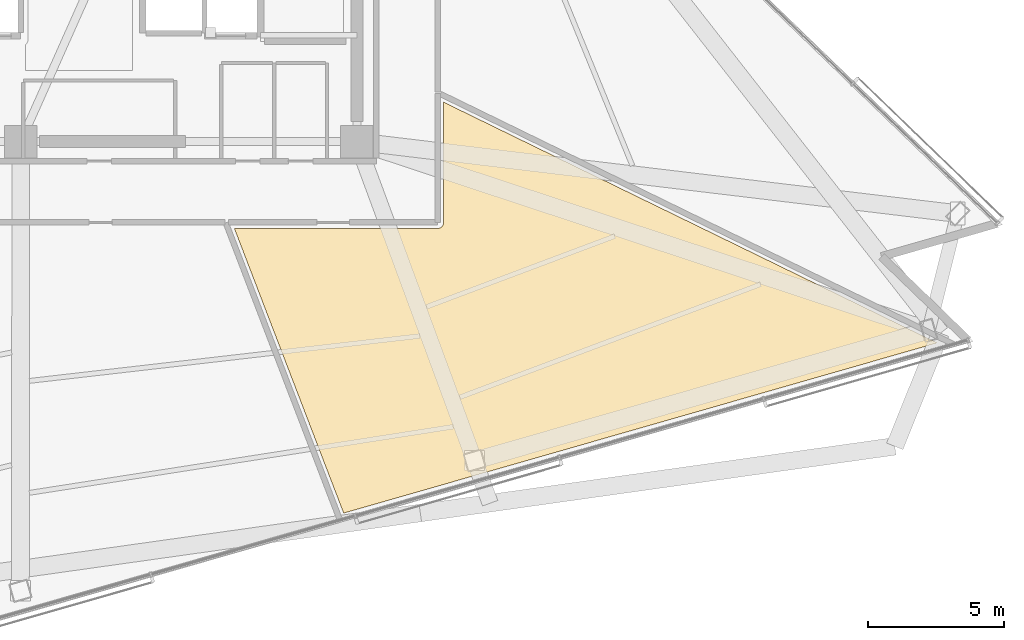
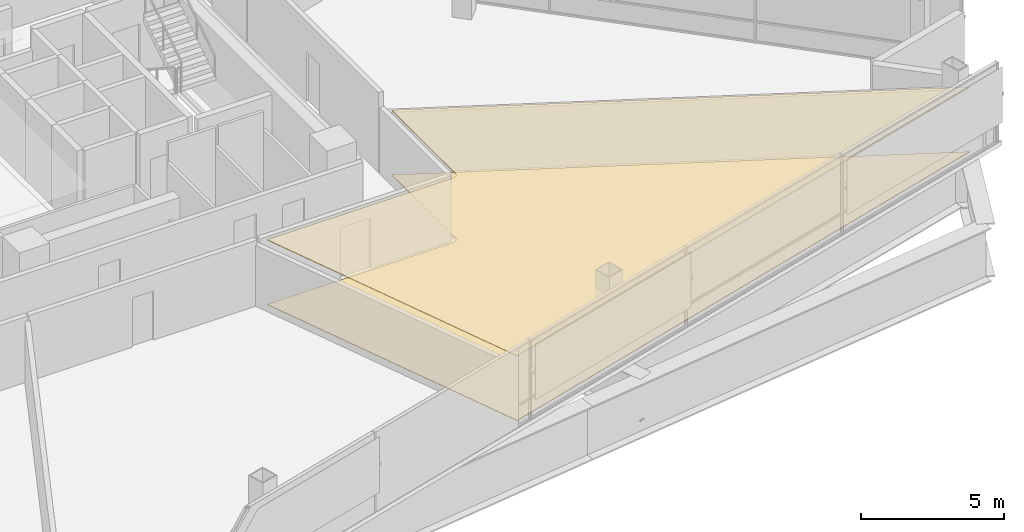
# One storey, part 18 of 21: 2 coverings.
"""IFC4 building model written with IfcOpenShell, lengths in metres."""

from ifc_helpers import new_model, si_unit, direction, frame, origin, place, context, subcontext, project, spatial, polyline, outline, extrude, material, layer, layer_set, type_object, element, save


model = new_model("IFC4")

# Units and contexts
model_context = context("Model", 3, precision=1e-05, world=origin(), true_north=direction((0.0, 1.0)))
body_context = subcontext(model_context, "Body", "Model", "MODEL_VIEW")
ifc_project = project(units=[si_unit("LENGTHUNIT", "METRE"), si_unit("AREAUNIT", "SQUARE_METRE"), si_unit("VOLUMEUNIT", "CUBIC_METRE"), si_unit("PLANEANGLEUNIT", "RADIAN"), si_unit("MASSUNIT", "GRAM", prefix="KILO")], contexts=[model_context])

# Site, building, storey
site_placement = place(None, origin())
site = spatial("IfcSite", under=ifc_project, at=site_placement, CompositionType="ELEMENT")
building_placement = place(site_placement, origin())
building = spatial("IfcBuilding", under=site, at=building_placement, Name="Tharavind Bronze Gate", CompositionType="ELEMENT")
storey_placement = place(building_placement, frame((0.0, 0.0, 86.10009765625)))
storey = spatial("IfcBuildingStorey", under=building, at=storey_placement, Name="L21", CompositionType="ELEMENT", Elevation=86.10009765625)

# Coverings
ifc_material_1 = material(Name="Perforated Bronze Acoustic Panel", Category="bronze")
ifc_layer_1 = layer(ifc_material_1, 0.044921875)
ifc_layer_set_1 = layer_set([ifc_layer_1], Name="Perforated Bronze Acoustic Panel")
covering_type_1 = type_object("IfcCoveringType", Name="ACOUSTIC BRONZE BAFFLE CEILING", PredefinedType="CEILING", material=ifc_layer_set_1)
covering_1_placement = place(storey_placement, frame((0.0, 0.0, 2.75)))
element("IfcCovering", 1, at=covering_1_placement, inside=storey, type_object=covering_type_1, Name="L21-RM-07 suspended ceiling", PredefinedType="CEILING", context=body_context, shape_type="SweptSolid", body=[
    extrude(outline(polyline([(8.412109375, -21.30029296875), (30.301513671875, -15.023681640625), (12.10009765625, -6.146240234375), (12.10009765625, -10.579345703125), (12.099609375, -10.590087890625), (12.099609375, -10.5908203125), (12.09765625, -10.6123046875), (12.093505859375, -10.63330078125), (12.087158203125, -10.654052734375), (12.078857421875, -10.674072265625), (12.068603515625, -10.693115234375), (12.056640625, -10.7109375), (12.04296875, -10.727783203125), (12.027587890625, -10.742919921875), (12.010986328125, -10.756591796875), (11.9931640625, -10.768798828125), (11.97412109375, -10.77880859375), (11.9541015625, -10.787109375), (11.933349609375, -10.79345703125), (11.912353515625, -10.797607421875), (11.890869140625, -10.7998046875), (11.89013671875, -10.7998046875), (11.87939453125, -10.800048828125), (4.38134765625, -10.800048828125), (8.412109375, -21.30029296875)])), origin(), (0.0, 0.0, 1.0), 0.034912109375),
])
ifc_material_2 = material(Name="Engineered Oak & Carpet Tile", Category="wood")
ifc_layer_2 = layer(ifc_material_2, 0.02490234375)
ifc_layer_set_2 = layer_set([ifc_layer_2], Name="Engineered Oak & Carpet Tile")
covering_type_2 = type_object("IfcCoveringType", Name="ENGINEERED TIMBER FLOORING", PredefinedType="FLOORING", material=ifc_layer_set_2)
covering_2_placement = place(storey_placement, origin())
element("IfcCovering", 2, at=covering_2_placement, inside=storey, type_object=covering_type_2, Name="L21-RM-07 floor finish", PredefinedType="FLOORING", context=body_context, shape_type="SweptSolid", body=[
    extrude(outline(polyline([(8.412109375, -21.30029296875), (30.301513671875, -15.023681640625), (12.10009765625, -6.146240234375), (12.10009765625, -10.579345703125), (12.099609375, -10.590087890625), (12.099609375, -10.5908203125), (12.09765625, -10.6123046875), (12.093505859375, -10.63330078125), (12.087158203125, -10.654052734375), (12.078857421875, -10.674072265625), (12.068603515625, -10.693115234375), (12.056640625, -10.7109375), (12.04296875, -10.727783203125), (12.027587890625, -10.742919921875), (12.010986328125, -10.756591796875), (11.9931640625, -10.768798828125), (11.97412109375, -10.77880859375), (11.9541015625, -10.787109375), (11.933349609375, -10.79345703125), (11.912353515625, -10.797607421875), (11.890869140625, -10.7998046875), (11.89013671875, -10.7998046875), (11.87939453125, -10.800048828125), (4.38134765625, -10.800048828125), (8.412109375, -21.30029296875)])), origin(), (0.0, 0.0, 1.0), 0.02490234375),
])

save(model, "model.ifc")
